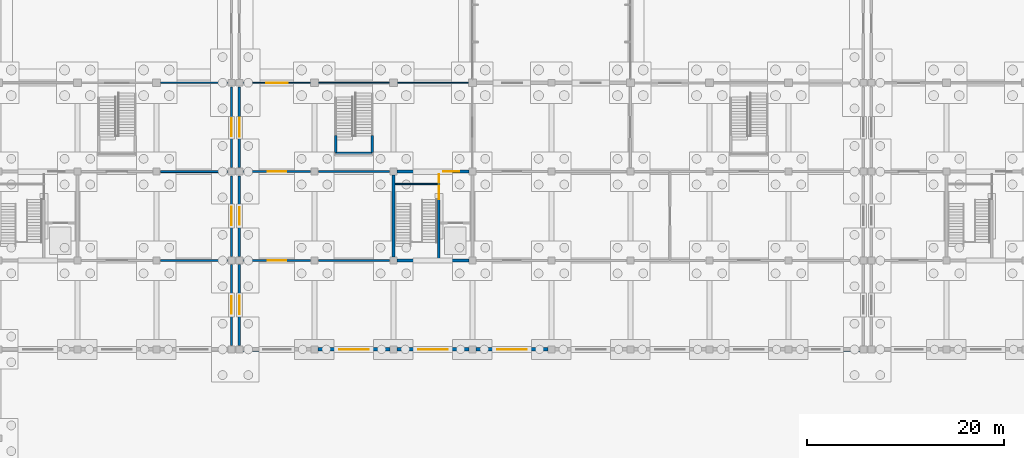
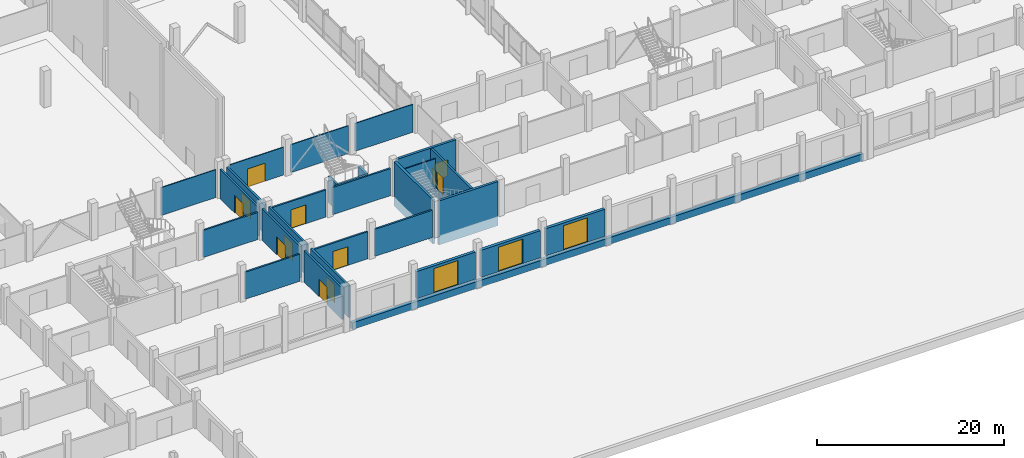
# One storey, part 44 of 72: 28 walls, 15 doors, 15 openings.
"""IFC4 building model written with IfcOpenShell, lengths in metres."""

from ifc_helpers import new_model, si_unit, direction, frame, frame_2d, origin, place, context, subcontext, project, spatial, rectangle, extrude, material, layer, layer_set, type_object, element, fill, save


model = new_model("IFC4")

# Units and contexts
model_context = context("Model", 3, precision=1e-05, world=origin(), true_north=direction((0.0, 1.0)))
body_context = subcontext(model_context, "Body", "Model", "MODEL_VIEW")
ifc_project = project(units=[si_unit("LENGTHUNIT", "METRE"), si_unit("AREAUNIT", "SQUARE_METRE"), si_unit("VOLUMEUNIT", "CUBIC_METRE"), si_unit("PLANEANGLEUNIT", "RADIAN"), si_unit("MASSUNIT", "GRAM", prefix="KILO"), si_unit("THERMODYNAMICTEMPERATUREUNIT", "KELVIN"), si_unit("POWERUNIT", "WATT")], contexts=[model_context])

# Site, building, storey
site_placement = place(None, origin())
site = spatial("IfcSite", under=ifc_project, at=site_placement, CompositionType="ELEMENT")
building_placement = place(site_placement, origin())
building = spatial("IfcBuilding", under=site, at=building_placement, Name="Kronsvod Quay Wholesale Market", CompositionType="ELEMENT")
storey_placement = place(building_placement, origin())
storey = spatial("IfcBuildingStorey", under=building, at=storey_placement, Name="L00", CompositionType="ELEMENT", Elevation=0.0)

# Walls
ifc_material_1 = material(Name="Polyisocyanurate insulated cold-room panel")
ifc_layer_1 = layer(ifc_material_1, 0.195068359375)
ifc_layer_set_1 = layer_set([ifc_layer_1], Name="Polyisocyanurate insulated cold-room panel")
wall_type_1 = type_object("IfcWallType", Name="Wall_ColdInsul195", PredefinedType="PARTITIONING", material=ifc_layer_set_1)
for number, where, z_axis, x_axis, name in (
    (1, (56.419921875, 36.0, 0.0), (0.0, 0.0, 1.0), (1.0, 0.0, 0.0), "PW-L00-0037"),
    (2, (56.419921875, 45.0, 0.0), (0.0, 0.0, 1.0), (1.0, 0.0, 0.0), "PW-L00-0059"),
):
    element("IfcWall", number, at=place(storey_placement, frame(where, z_axis=z_axis, x_axis=x_axis)), inside=storey, type_object=wall_type_1, Name=name, PredefinedType="PARTITIONING", context=body_context, shape_type="SweptSolid", body=[
        extrude(rectangle(XDim=6.760009765625, YDim=0.195068359375, at=frame_2d((3.3798828125, 0.0))), origin(), (0.0, 0.0, 1.0), 3.550048828125),
    ])

# Wall, opening, door
ifc_material_2 = material(Name="Polyisocyanurate insulated cold-room panel")
ifc_layer_2 = layer(ifc_material_2, 0.2099609375)
ifc_layer_set_2 = layer_set([ifc_layer_2], Name="Polyisocyanurate insulated cold-room panel")
wall_type_2 = type_object("IfcWallType", Name="Wall_ColdInsul210", PredefinedType="PARTITIONING", material=ifc_layer_set_2)
wall_1_placement = place(storey_placement, frame((64.820068359375, 36.0, 0.0), z_axis=(0.0, 0.0, 1.0), x_axis=(1.0, 0.0, 0.0)))
wall_1 = element("IfcWall", 3, at=wall_1_placement, inside=storey, type_object=wall_type_2, Name="PW-L00-0038", PredefinedType="PARTITIONING", context=body_context, shape_type="SweptSolid", body=[
    extrude(rectangle(XDim=6.760009765625, YDim=0.2099609375, at=frame_2d((3.3798828125, 0.0))), origin(), (0.0, 0.0, 1.0), 3.550048828125),
])
opening_1_placement = place(wall_1_placement, frame((2.455078125, 0.0, 0.0)))
opening_1 = element("IfcOpeningElement", 4, at=opening_1_placement, cuts=wall_1, Name="Opening D-0150", PredefinedType="OPENING", context=body_context, shape_type="SweptSolid", body=[
    extrude(rectangle(XDim=1.85009765625, YDim=2.449951171875, at=frame_2d((0.925048828125, 1.22509765625))), frame((0.0, 0.114990234375, 0.0), z_axis=(0.0, -1.0, 0.0), x_axis=(1.0, 0.0, 0.0)), (0.0, 0.0, 1.0), 0.22998046875),
])
ifc_material_3 = material(Name="Insulated stainless cold-store door", Category="steel")
door_type_1 = type_object("IfcDoorType", Name="Door_ColdSlide185x245", OperationType="SLIDING_TO_LEFT", PredefinedType="DOOR", material=ifc_material_3)
door_1_placement = place(opening_1_placement, origin())
door_1 = element("IfcDoor", 5, at=door_1_placement, inside=storey, type_object=door_type_1, Name="Interior Door D-0150", OperationType="SLIDING_TO_LEFT", OverallHeight=2.449951171875, OverallWidth=1.85009765625, PredefinedType="DOOR", context=body_context, shape_type="SweptSolid", body=[
    extrude(rectangle(XDim=1.85009765625, YDim=2.449951171875, at=frame_2d((0.925048828125, 1.22509765625))), frame((0.0, 0.02490234375, 0.0), z_axis=(0.0, -1.0, 0.0), x_axis=(1.0, 0.0, 0.0)), (0.0, 0.0, 1.0), 0.050048828125),
])
fill(opening_1, door_1)

# Wall
wall_2_placement = place(storey_placement, frame((72.419921875, 36.0, 0.0), z_axis=(0.0, 0.0, 1.0), x_axis=(1.0, 0.0, 0.0)))
element("IfcWall", 6, at=wall_2_placement, inside=storey, type_object=wall_type_2, Name="PW-L00-0039", PredefinedType="PARTITIONING", context=body_context, shape_type="SweptSolid", body=[
    extrude(rectangle(XDim=7.16015625, YDim=0.2099609375, at=frame_2d((3.580078125, 0.0))), origin(), (0.0, 0.0, 1.0), 3.550048828125),
])

# Wall, opening, door
wall_3_placement = place(storey_placement, frame((64.820068359375, 45.0, 0.0), z_axis=(0.0, 0.0, 1.0), x_axis=(1.0, 0.0, 0.0)))
wall_3 = element("IfcWall", 7, at=wall_3_placement, inside=storey, type_object=wall_type_2, Name="PW-L00-0060", PredefinedType="PARTITIONING", context=body_context, shape_type="SweptSolid", body=[
    extrude(rectangle(XDim=6.760009765625, YDim=0.2099609375, at=frame_2d((3.3798828125, 0.0))), origin(), (0.0, 0.0, 1.0), 3.550048828125),
])
opening_2_placement = place(wall_3_placement, frame((2.455078125, 0.0, 0.0)))
opening_2 = element("IfcOpeningElement", 8, at=opening_2_placement, cuts=wall_3, Name="Opening D-0162", PredefinedType="OPENING", context=body_context, shape_type="SweptSolid", body=[
    extrude(rectangle(XDim=1.85009765625, YDim=2.449951171875, at=frame_2d((0.925048828125, 1.22509765625))), frame((0.0, 0.114990234375, 0.0), z_axis=(0.0, -1.0, 0.0), x_axis=(1.0, 0.0, 0.0)), (0.0, 0.0, 1.0), 0.22998046875),
])
door_2_placement = place(opening_2_placement, origin())
door_2 = element("IfcDoor", 9, at=door_2_placement, inside=storey, type_object=door_type_1, Name="Interior Door D-0162", OperationType="SLIDING_TO_LEFT", OverallHeight=2.449951171875, OverallWidth=1.85009765625, PredefinedType="DOOR", context=body_context, shape_type="SweptSolid", body=[
    extrude(rectangle(XDim=1.85009765625, YDim=2.449951171875, at=frame_2d((0.925048828125, 1.22509765625))), frame((0.0, 0.02490234375, 0.0), z_axis=(0.0, -1.0, 0.0), x_axis=(1.0, 0.0, 0.0)), (0.0, 0.0, 1.0), 0.050048828125),
])
fill(opening_2, door_2)

# Walls
wall_4_placement = place(storey_placement, frame((72.419921875, 45.0, 0.0), z_axis=(0.0, 0.0, 1.0), x_axis=(1.0, 0.0, 0.0)))
element("IfcWall", 10, at=wall_4_placement, inside=storey, type_object=wall_type_2, Name="PW-L00-0061", PredefinedType="PARTITIONING", context=body_context, shape_type="SweptSolid", body=[
    extrude(rectangle(XDim=7.16015625, YDim=0.2099609375, at=frame_2d((3.580078125, 0.0))), origin(), (0.0, 0.0, 1.0), 3.550048828125),
])
ifc_material_4 = material(Name="Concrete C35/45", Category="concrete")
ifc_layer_3 = layer(ifc_material_4, 0.300048828125)
ifc_layer_set_3 = layer_set([ifc_layer_3], Name="Concrete C35/45")
wall_type_3 = type_object("IfcWallType", Name="Wall_CoreShear300", PredefinedType="SHEAR", material=ifc_layer_set_3)
wall_5_placement = place(storey_placement, frame((80.344970703125, 36.0, -1.25), z_axis=(0.0, 0.0, 1.0), x_axis=(1.0, 0.0, 0.0)))
element("IfcWall", 11, at=wall_5_placement, inside=storey, type_object=wall_type_3, Name="CW-C04-L00-S", PredefinedType="SHEAR", context=body_context, shape_type="SweptSolid", body=[
    extrude(rectangle(XDim=7.31005859375, YDim=0.300048828125, at=frame_2d((3.655029296875, 0.0))), origin(), (0.0, 0.0, 1.0), 5.7548828125),
])

# Wall, opening, door
wall_6_placement = place(storey_placement, frame((80.344970703125, 45.0, -1.25), z_axis=(0.0, 0.0, 1.0), x_axis=(1.0, 0.0, 0.0)))
wall_6 = element("IfcWall", 12, at=wall_6_placement, inside=storey, type_object=wall_type_3, Name="CW-C04-L00-N", PredefinedType="SHEAR", context=body_context, shape_type="SweptSolid", body=[
    extrude(rectangle(XDim=7.31005859375, YDim=0.300048828125, at=frame_2d((3.655029296875, 0.0))), origin(), (0.0, 0.0, 1.0), 5.7548828125),
])
opening_3_placement = place(wall_6_placement, frame((4.699951171875, 0.0, 1.25)))
opening_3 = element("IfcOpeningElement", 13, at=opening_3_placement, cuts=wall_6, Name="Opening D-0035", PredefinedType="OPENING", context=body_context, shape_type="SweptSolid", body=[
    extrude(rectangle(XDim=1.60009765625, YDim=2.199951171875, at=frame_2d((0.800048828125, 1.10009765625))), frame((0.0, 0.16015625, 0.0), z_axis=(0.0, -1.0, 0.0), x_axis=(1.0, 0.0, 0.0)), (0.0, 0.0, 1.0), 0.320068359375),
])
ifc_material_5 = material(Name="Painted galvanized fire steel", Category="steel")
door_type_2 = type_object("IfcDoorType", Name="Door_FireLobby160x220", OperationType="DOUBLE_DOOR_SINGLE_SWING", PredefinedType="DOOR", material=ifc_material_5)
door_3_placement = place(opening_3_placement, origin())
door_3 = element("IfcDoor", 14, at=door_3_placement, inside=storey, type_object=door_type_2, Name="Core Lobby Door D-0035", OperationType="DOUBLE_DOOR_SINGLE_SWING", OverallHeight=2.199951171875, OverallWidth=1.60009765625, PredefinedType="DOOR", context=body_context, shape_type="SweptSolid", body=[
    extrude(rectangle(XDim=1.60009765625, YDim=2.199951171875, at=frame_2d((0.800048828125, 1.10009765625))), frame((0.0, 0.02490234375, 0.0), z_axis=(0.0, -1.0, 0.0), x_axis=(1.0, 0.0, 0.0)), (0.0, 0.0, 1.0), 0.050048828125),
])
fill(opening_3, door_3)

# Wall
wall_7_placement = place(storey_placement, frame((80.0, 36.344970703125, -1.25), z_axis=(0.0, 0.0, 1.0), x_axis=(0.0, 1.0, 0.0)))
element("IfcWall", 15, at=wall_7_placement, inside=storey, type_object=wall_type_3, Name="CW-C04-L00-W", PredefinedType="SHEAR", context=body_context, shape_type="SweptSolid", body=[
    extrude(rectangle(XDim=8.31005859375, YDim=0.300048828125, at=frame_2d((4.155029296875, 0.0))), origin(), (0.0, 0.0, 1.0), 5.7548828125),
])

# Wall, opening, door
ifc_material_6 = material(Name="Precast concrete C40/50", Category="concrete")
ifc_layer_4 = layer(ifc_material_6, 0.360107421875)
ifc_layer_set_4 = layer_set([ifc_layer_4], Name="Precast concrete C40/50")
wall_type_4 = type_object("IfcWallType", Name="Wall_ExtColdSandwich360", PredefinedType="SOLIDWALL", material=ifc_layer_set_4)
wall_8_placement = place(storey_placement, frame((72.344970703125, 27.0, 0.0), z_axis=(0.0, 0.0, 1.0), x_axis=(1.0, 0.0, 0.0)))
wall_8 = element("IfcWall", 16, at=wall_8_placement, inside=storey, type_object=wall_type_4, Name="EW-X-L00-0034", PredefinedType="SOLIDWALL", context=body_context, shape_type="SweptSolid", body=[
    extrude(rectangle(XDim=7.31005859375, YDim=0.360107421875, at=frame_2d((3.655029296875, 0.0))), origin(), (0.0, 0.0, 1.0), 3.550048828125),
])
opening_4_placement = place(wall_8_placement, frame((2.155029296875, 0.0, 0.0)))
opening_4 = element("IfcOpeningElement", 17, at=opening_4_placement, cuts=wall_8, Name="Opening ED-019", PredefinedType="OPENING", context=body_context, shape_type="SweptSolid", body=[
    extrude(rectangle(XDim=3.0, YDim=3.199951171875, at=frame_2d((1.5, 1.60009765625))), frame((0.0, 0.18994140625, 0.0), z_axis=(0.0, -1.0, 0.0), x_axis=(1.0, 0.0, 0.0)), (0.0, 0.0, 1.0), 0.380126953125),
])
ifc_material_7 = material(Name="Insulated galvanized steel sectional shutter", Category="steel")
door_type_3 = type_object("IfcDoorType", Name="Door_DockShutter300x320", OperationType="ROLLINGUP", PredefinedType="GATE", material=ifc_material_7)
door_4_placement = place(opening_4_placement, origin())
door_4 = element("IfcDoor", 18, at=door_4_placement, inside=storey, type_object=door_type_3, Name="Loading Dock Door ED-019", OperationType="ROLLINGUP", OverallHeight=3.199951171875, OverallWidth=3.0, PredefinedType="GATE", context=body_context, shape_type="SweptSolid", body=[
    extrude(rectangle(XDim=3.0, YDim=3.199951171875, at=frame_2d((1.5, 1.60009765625))), frame((0.0, 0.02490234375, 0.0), z_axis=(0.0, -1.0, 0.0), x_axis=(1.0, 0.0, 0.0)), (0.0, 0.0, 1.0), 0.050048828125),
])
fill(opening_4, door_4)

wall_9_placement = place(storey_placement, frame((80.344970703125, 27.0, 0.0), z_axis=(0.0, 0.0, 1.0), x_axis=(1.0, 0.0, 0.0)))
wall_9 = element("IfcWall", 19, at=wall_9_placement, inside=storey, type_object=wall_type_4, Name="EW-X-L00-0035", PredefinedType="SOLIDWALL", context=body_context, shape_type="SweptSolid", body=[
    extrude(rectangle(XDim=7.31005859375, YDim=0.360107421875, at=frame_2d((3.655029296875, 0.0))), origin(), (0.0, 0.0, 1.0), 3.550048828125),
])
opening_5_placement = place(wall_9_placement, frame((2.155029296875, 0.0, 0.0)))
opening_5 = element("IfcOpeningElement", 20, at=opening_5_placement, cuts=wall_9, Name="Opening ED-020", PredefinedType="OPENING", context=body_context, shape_type="SweptSolid", body=[
    extrude(rectangle(XDim=3.0, YDim=3.199951171875, at=frame_2d((1.5, 1.60009765625))), frame((0.0, 0.18994140625, 0.0), z_axis=(0.0, -1.0, 0.0), x_axis=(1.0, 0.0, 0.0)), (0.0, 0.0, 1.0), 0.380126953125),
])
door_5_placement = place(opening_5_placement, origin())
door_5 = element("IfcDoor", 21, at=door_5_placement, inside=storey, type_object=door_type_3, Name="Loading Dock Door ED-020", OperationType="ROLLINGUP", OverallHeight=3.199951171875, OverallWidth=3.0, PredefinedType="GATE", context=body_context, shape_type="SweptSolid", body=[
    extrude(rectangle(XDim=3.0, YDim=3.199951171875, at=frame_2d((1.5, 1.60009765625))), frame((0.0, 0.02490234375, 0.0), z_axis=(0.0, -1.0, 0.0), x_axis=(1.0, 0.0, 0.0)), (0.0, 0.0, 1.0), 0.050048828125),
])
fill(opening_5, door_5)

wall_10_placement = place(storey_placement, frame((88.344970703125, 27.0, 0.0), z_axis=(0.0, 0.0, 1.0), x_axis=(1.0, 0.0, 0.0)))
wall_10 = element("IfcWall", 22, at=wall_10_placement, inside=storey, type_object=wall_type_4, Name="EW-X-L00-0036", PredefinedType="SOLIDWALL", context=body_context, shape_type="SweptSolid", body=[
    extrude(rectangle(XDim=7.31005859375, YDim=0.360107421875, at=frame_2d((3.655029296875, 0.0))), origin(), (0.0, 0.0, 1.0), 3.550048828125),
])
opening_6_placement = place(wall_10_placement, frame((2.155029296875, 0.0, 0.0)))
opening_6 = element("IfcOpeningElement", 23, at=opening_6_placement, cuts=wall_10, Name="Opening ED-021", PredefinedType="OPENING", context=body_context, shape_type="SweptSolid", body=[
    extrude(rectangle(XDim=3.0, YDim=3.199951171875, at=frame_2d((1.5, 1.60009765625))), frame((0.0, 0.18994140625, 0.0), z_axis=(0.0, -1.0, 0.0), x_axis=(1.0, 0.0, 0.0)), (0.0, 0.0, 1.0), 0.380126953125),
])
door_6_placement = place(opening_6_placement, origin())
door_6 = element("IfcDoor", 24, at=door_6_placement, inside=storey, type_object=door_type_3, Name="Loading Dock Door ED-021", OperationType="ROLLINGUP", OverallHeight=3.199951171875, OverallWidth=3.0, PredefinedType="GATE", context=body_context, shape_type="SweptSolid", body=[
    extrude(rectangle(XDim=3.0, YDim=3.199951171875, at=frame_2d((1.5, 1.60009765625))), frame((0.0, 0.02490234375, 0.0), z_axis=(0.0, -1.0, 0.0), x_axis=(1.0, 0.0, 0.0)), (0.0, 0.0, 1.0), 0.050048828125),
])
fill(opening_6, door_6)

ifc_material_8 = material(Name="Precast concrete C40/50", Category="concrete")
ifc_layer_5 = layer(ifc_material_8, 0.239990234375)
ifc_layer_set_5 = layer_set([ifc_layer_5], Name="Precast concrete C40/50")
wall_type_5 = type_object("IfcWallType", Name="Wall_ExtSpandrel240", PredefinedType="SOLIDWALL", material=ifc_layer_set_5)
wall_11_placement = place(storey_placement, frame((63.60009765625, 27.419921875, 0.0), z_axis=(0.0, 0.0, 1.0), x_axis=(0.0, 1.0, 0.0)))
wall_11 = element("IfcWall", 25, at=wall_11_placement, inside=storey, type_object=wall_type_5, Name="MJWG-L00-636-270", PredefinedType="SOLIDWALL", context=body_context, shape_type="SweptSolid", body=[
    extrude(rectangle(XDim=8.16015625, YDim=0.239990234375, at=frame_2d((4.080078125, 0.0))), origin(), (0.0, 0.0, 1.0), 4.10009765625),
])
opening_7_placement = place(wall_11_placement, frame((3.179931640625, 0.0, 0.0)))
opening_7 = element("IfcOpeningElement", 26, at=opening_7_placement, cuts=wall_11, Name="Opening D-0314", PredefinedType="OPENING", context=body_context, shape_type="SweptSolid", body=[
    extrude(rectangle(XDim=1.800048828125, YDim=2.300048828125, at=frame_2d((0.89990234375, 1.14990234375))), frame((0.0, 0.1298828125, 0.0), z_axis=(0.0, -1.0, 0.0), x_axis=(1.0, 0.0, 0.0)), (0.0, 0.0, 1.0), 0.260009765625),
])
ifc_material_9 = material(Name="Painted galvanized fire steel", Category="steel")
door_type_4 = type_object("IfcDoorType", Name="Door_FireComp180x230", OperationType="DOUBLE_DOOR_SINGLE_SWING", PredefinedType="DOOR", material=ifc_material_9)
door_7_placement = place(opening_7_placement, origin())
door_7 = element("IfcDoor", 27, at=door_7_placement, inside=storey, type_object=door_type_4, Name="Fire Compartment Door D-0314", OperationType="DOUBLE_DOOR_SINGLE_SWING", OverallHeight=2.300048828125, OverallWidth=1.800048828125, PredefinedType="DOOR", context=body_context, shape_type="SweptSolid", body=[
    extrude(rectangle(XDim=1.800048828125, YDim=2.300048828125, at=frame_2d((0.89990234375, 1.14990234375))), frame((0.0, 0.02490234375, 0.0), z_axis=(0.0, -1.0, 0.0), x_axis=(1.0, 0.0, 0.0)), (0.0, 0.0, 1.0), 0.050048828125),
])
fill(opening_7, door_7)

wall_12_placement = place(storey_placement, frame((63.60009765625, 36.419921875, 0.0), z_axis=(0.0, 0.0, 1.0), x_axis=(0.0, 1.0, 0.0)))
wall_12 = element("IfcWall", 28, at=wall_12_placement, inside=storey, type_object=wall_type_5, Name="MJWG-L00-636-360", PredefinedType="SOLIDWALL", context=body_context, shape_type="SweptSolid", body=[
    extrude(rectangle(XDim=8.16015625, YDim=0.239990234375, at=frame_2d((4.080078125, 0.0))), origin(), (0.0, 0.0, 1.0), 4.10009765625),
])
opening_8_placement = place(wall_12_placement, frame((3.1298828125, 0.0, 0.0)))
opening_8 = element("IfcOpeningElement", 29, at=opening_8_placement, cuts=wall_12, Name="Opening D-0315", PredefinedType="OPENING", context=body_context, shape_type="SweptSolid", body=[
    extrude(rectangle(XDim=1.89990234375, YDim=2.35009765625, at=frame_2d((0.949951171875, 1.175048828125))), frame((0.0, 0.1298828125, 0.0), z_axis=(0.0, -1.0, 0.0), x_axis=(1.0, 0.0, 0.0)), (0.0, 0.0, 1.0), 0.260009765625),
])
ifc_material_10 = material(Name="Painted galvanized fire steel", Category="steel")
door_type_5 = type_object("IfcDoorType", Name="Door_FireComp190x235", OperationType="DOUBLE_DOOR_SINGLE_SWING", PredefinedType="DOOR", material=ifc_material_10)
door_8_placement = place(opening_8_placement, origin())
door_8 = element("IfcDoor", 30, at=door_8_placement, inside=storey, type_object=door_type_5, Name="Fire Compartment Door D-0315", OperationType="DOUBLE_DOOR_SINGLE_SWING", OverallHeight=2.35009765625, OverallWidth=1.89990234375, PredefinedType="DOOR", context=body_context, shape_type="SweptSolid", body=[
    extrude(rectangle(XDim=1.89990234375, YDim=2.35009765625, at=frame_2d((0.949951171875, 1.175048828125))), frame((0.0, 0.02490234375, 0.0), z_axis=(0.0, -1.0, 0.0), x_axis=(1.0, 0.0, 0.0)), (0.0, 0.0, 1.0), 0.050048828125),
])
fill(opening_8, door_8)

wall_13_placement = place(storey_placement, frame((63.60009765625, 45.419921875, 0.0), z_axis=(0.0, 0.0, 1.0), x_axis=(0.0, 1.0, 0.0)))
wall_13 = element("IfcWall", 31, at=wall_13_placement, inside=storey, type_object=wall_type_5, Name="MJWG-L00-636-450", PredefinedType="SOLIDWALL", context=body_context, shape_type="SweptSolid", body=[
    extrude(rectangle(XDim=8.16015625, YDim=0.239990234375, at=frame_2d((4.080078125, 0.0))), origin(), (0.0, 0.0, 1.0), 3.820068359375),
])
opening_9_placement = place(wall_13_placement, frame((3.179931640625, 0.0, 0.0)))
opening_9 = element("IfcOpeningElement", 32, at=opening_9_placement, cuts=wall_13, Name="Opening D-0316", PredefinedType="OPENING", context=body_context, shape_type="SweptSolid", body=[
    extrude(rectangle(XDim=1.800048828125, YDim=2.300048828125, at=frame_2d((0.89990234375, 1.14990234375))), frame((0.0, 0.1298828125, 0.0), z_axis=(0.0, -1.0, 0.0), x_axis=(1.0, 0.0, 0.0)), (0.0, 0.0, 1.0), 0.260009765625),
])
door_9_placement = place(opening_9_placement, origin())
door_9 = element("IfcDoor", 33, at=door_9_placement, inside=storey, type_object=door_type_4, Name="Fire Compartment Door D-0316", OperationType="DOUBLE_DOOR_SINGLE_SWING", OverallHeight=2.300048828125, OverallWidth=1.800048828125, PredefinedType="DOOR", context=body_context, shape_type="SweptSolid", body=[
    extrude(rectangle(XDim=1.800048828125, YDim=2.300048828125, at=frame_2d((0.89990234375, 1.14990234375))), frame((0.0, 0.02490234375, 0.0), z_axis=(0.0, -1.0, 0.0), x_axis=(1.0, 0.0, 0.0)), (0.0, 0.0, 1.0), 0.050048828125),
])
fill(opening_9, door_9)

wall_14_placement = place(storey_placement, frame((64.39990234375, 27.419921875, 0.0), z_axis=(0.0, 0.0, 1.0), x_axis=(0.0, 1.0, 0.0)))
wall_14 = element("IfcWall", 34, at=wall_14_placement, inside=storey, type_object=wall_type_5, Name="MJWG-L00-644-270", PredefinedType="SOLIDWALL", context=body_context, shape_type="SweptSolid", body=[
    extrude(rectangle(XDim=8.16015625, YDim=0.239990234375, at=frame_2d((4.080078125, 0.0))), origin(), (0.0, 0.0, 1.0), 4.10009765625),
])
opening_10_placement = place(wall_14_placement, frame((3.1298828125, 0.0, 0.0)))
opening_10 = element("IfcOpeningElement", 35, at=opening_10_placement, cuts=wall_14, Name="Opening D-0323", PredefinedType="OPENING", context=body_context, shape_type="SweptSolid", body=[
    extrude(rectangle(XDim=1.89990234375, YDim=2.35009765625, at=frame_2d((0.949951171875, 1.175048828125))), frame((0.0, 0.1298828125, 0.0), z_axis=(0.0, -1.0, 0.0), x_axis=(1.0, 0.0, 0.0)), (0.0, 0.0, 1.0), 0.260009765625),
])
door_10_placement = place(opening_10_placement, origin())
door_10 = element("IfcDoor", 36, at=door_10_placement, inside=storey, type_object=door_type_5, Name="Fire Compartment Door D-0323", OperationType="DOUBLE_DOOR_SINGLE_SWING", OverallHeight=2.35009765625, OverallWidth=1.89990234375, PredefinedType="DOOR", context=body_context, shape_type="SweptSolid", body=[
    extrude(rectangle(XDim=1.89990234375, YDim=2.35009765625, at=frame_2d((0.949951171875, 1.175048828125))), frame((0.0, 0.02490234375, 0.0), z_axis=(0.0, -1.0, 0.0), x_axis=(1.0, 0.0, 0.0)), (0.0, 0.0, 1.0), 0.050048828125),
])
fill(opening_10, door_10)

wall_15_placement = place(storey_placement, frame((64.39990234375, 36.419921875, 0.0), z_axis=(0.0, 0.0, 1.0), x_axis=(0.0, 1.0, 0.0)))
wall_15 = element("IfcWall", 37, at=wall_15_placement, inside=storey, type_object=wall_type_5, Name="MJWG-L00-644-360", PredefinedType="SOLIDWALL", context=body_context, shape_type="SweptSolid", body=[
    extrude(rectangle(XDim=8.16015625, YDim=0.239990234375, at=frame_2d((4.080078125, 0.0))), origin(), (0.0, 0.0, 1.0), 4.10009765625),
])
opening_11_placement = place(wall_15_placement, frame((3.179931640625, 0.0, 0.0)))
opening_11 = element("IfcOpeningElement", 38, at=opening_11_placement, cuts=wall_15, Name="Opening D-0324", PredefinedType="OPENING", context=body_context, shape_type="SweptSolid", body=[
    extrude(rectangle(XDim=1.800048828125, YDim=2.300048828125, at=frame_2d((0.89990234375, 1.14990234375))), frame((0.0, 0.1298828125, 0.0), z_axis=(0.0, -1.0, 0.0), x_axis=(1.0, 0.0, 0.0)), (0.0, 0.0, 1.0), 0.260009765625),
])
door_11_placement = place(opening_11_placement, origin())
door_11 = element("IfcDoor", 39, at=door_11_placement, inside=storey, type_object=door_type_4, Name="Fire Compartment Door D-0324", OperationType="DOUBLE_DOOR_SINGLE_SWING", OverallHeight=2.300048828125, OverallWidth=1.800048828125, PredefinedType="DOOR", context=body_context, shape_type="SweptSolid", body=[
    extrude(rectangle(XDim=1.800048828125, YDim=2.300048828125, at=frame_2d((0.89990234375, 1.14990234375))), frame((0.0, 0.02490234375, 0.0), z_axis=(0.0, -1.0, 0.0), x_axis=(1.0, 0.0, 0.0)), (0.0, 0.0, 1.0), 0.050048828125),
])
fill(opening_11, door_11)

wall_16_placement = place(storey_placement, frame((64.39990234375, 45.419921875, 0.0), z_axis=(0.0, 0.0, 1.0), x_axis=(0.0, 1.0, 0.0)))
wall_16 = element("IfcWall", 40, at=wall_16_placement, inside=storey, type_object=wall_type_5, Name="MJWG-L00-644-450", PredefinedType="SOLIDWALL", context=body_context, shape_type="SweptSolid", body=[
    extrude(rectangle(XDim=8.16015625, YDim=0.239990234375, at=frame_2d((4.080078125, 0.0))), origin(), (0.0, 0.0, 1.0), 3.820068359375),
])
opening_12_placement = place(wall_16_placement, frame((3.1298828125, 0.0, 0.0)))
opening_12 = element("IfcOpeningElement", 41, at=opening_12_placement, cuts=wall_16, Name="Opening D-0325", PredefinedType="OPENING", context=body_context, shape_type="SweptSolid", body=[
    extrude(rectangle(XDim=1.89990234375, YDim=2.35009765625, at=frame_2d((0.949951171875, 1.175048828125))), frame((0.0, 0.1298828125, 0.0), z_axis=(0.0, -1.0, 0.0), x_axis=(1.0, 0.0, 0.0)), (0.0, 0.0, 1.0), 0.260009765625),
])
door_12_placement = place(opening_12_placement, origin())
door_12 = element("IfcDoor", 42, at=door_12_placement, inside=storey, type_object=door_type_5, Name="Fire Compartment Door D-0325", OperationType="DOUBLE_DOOR_SINGLE_SWING", OverallHeight=2.35009765625, OverallWidth=1.89990234375, PredefinedType="DOOR", context=body_context, shape_type="SweptSolid", body=[
    extrude(rectangle(XDim=1.89990234375, YDim=2.35009765625, at=frame_2d((0.949951171875, 1.175048828125))), frame((0.0, 0.02490234375, 0.0), z_axis=(0.0, -1.0, 0.0), x_axis=(1.0, 0.0, 0.0)), (0.0, 0.0, 1.0), 0.050048828125),
])
fill(opening_12, door_12)

ifc_material_11 = material(Name="Double-glazed gallery screen partition", Category="glass")
ifc_layer_6 = layer(ifc_material_11, 0.10791015625)
ifc_layer_set_6 = layer_set([ifc_layer_6], Name="Double-glazed gallery screen partition")
wall_type_6 = type_object("IfcWallType", Name="Wall_PartGlazed108", PredefinedType="PARTITIONING", material=ifc_layer_set_6)
wall_17_placement = place(storey_placement, frame((64.820068359375, 54.0, 0.0), z_axis=(0.0, 0.0, 1.0), x_axis=(1.0, 0.0, 0.0)))
wall_17 = element("IfcWall", 43, at=wall_17_placement, inside=storey, type_object=wall_type_6, Name="PW-L00-0081", PredefinedType="PARTITIONING", context=body_context, shape_type="SweptSolid", body=[
    extrude(rectangle(XDim=6.760009765625, YDim=0.10791015625, at=frame_2d((3.3798828125, 0.0))), origin(), (0.0, 0.0, 1.0), 3.64990234375),
])
opening_13_placement = place(wall_17_placement, frame((2.304931640625, 0.0, 0.0)))
opening_13 = element("IfcOpeningElement", 44, at=opening_13_placement, cuts=wall_17, Name="Opening D-0172", PredefinedType="OPENING", context=body_context, shape_type="SweptSolid", body=[
    extrude(rectangle(XDim=2.14990234375, YDim=2.35009765625, at=frame_2d((1.074951171875, 1.175048828125))), frame((0.0, 0.06396484375, 0.0), z_axis=(0.0, -1.0, 0.0), x_axis=(1.0, 0.0, 0.0)), (0.0, 0.0, 1.0), 0.1279296875),
])
ifc_material_12 = material(Name="Glazed aluminium hall portal", Category="aluminium")
door_type_6 = type_object("IfcDoorType", Name="Door_HallPortal215x235", OperationType="DOUBLE_DOOR_SINGLE_SWING", PredefinedType="DOOR", material=ifc_material_12)
door_13_placement = place(opening_13_placement, origin())
door_13 = element("IfcDoor", 45, at=door_13_placement, inside=storey, type_object=door_type_6, Name="Interior Door D-0172", OperationType="DOUBLE_DOOR_SINGLE_SWING", OverallHeight=2.35009765625, OverallWidth=2.14990234375, PredefinedType="DOOR", context=body_context, shape_type="SweptSolid", body=[
    extrude(rectangle(XDim=2.14990234375, YDim=2.35009765625, at=frame_2d((1.074951171875, 1.175048828125))), frame((0.0, 0.02490234375, 0.0), z_axis=(0.0, -1.0, 0.0), x_axis=(1.0, 0.0, 0.0)), (0.0, 0.0, 1.0), 0.050048828125),
])
fill(opening_13, door_13)

# Walls
for number, where, z_axis, x_axis, name in (
    (46, (72.419921875, 54.0, 0.0), (0.0, 0.0, 1.0), (1.0, 0.0, 0.0), "PW-L00-0082"),
    (47, (80.419921875, 54.0, 0.0), (0.0, 0.0, 1.0), (1.0, 0.0, 0.0), "PW-L00-0083"),
):
    element("IfcWall", number, at=place(storey_placement, frame(where, z_axis=z_axis, x_axis=x_axis)), inside=storey, type_object=wall_type_6, Name=name, PredefinedType="PARTITIONING", context=body_context, shape_type="SweptSolid", body=[
        extrude(rectangle(XDim=7.16015625, YDim=0.10791015625, at=frame_2d((3.580078125, 0.0))), origin(), (0.0, 0.0, 1.0), 3.64990234375),
    ])
ifc_material_13 = material(Name="Framed acoustic glass hall partition", Category="glass")
ifc_layer_7 = layer(ifc_material_13, 0.114990234375)
ifc_layer_set_7 = layer_set([ifc_layer_7], Name="Framed acoustic glass hall partition")
wall_type_7 = type_object("IfcWallType", Name="Wall_PartGlazed115", PredefinedType="PARTITIONING", material=ifc_layer_set_7)
wall_18_placement = place(storey_placement, frame((56.419921875, 54.0, 0.0), z_axis=(0.0, 0.0, 1.0), x_axis=(1.0, 0.0, 0.0)))
element("IfcWall", 48, at=wall_18_placement, inside=storey, type_object=wall_type_7, Name="PW-L00-0080", PredefinedType="PARTITIONING", context=body_context, shape_type="SweptSolid", body=[
    extrude(rectangle(XDim=6.760009765625, YDim=0.114990234375, at=frame_2d((3.3798828125, 0.0))), origin(), (0.0, 0.0, 1.0), 3.64990234375),
])
ifc_material_14 = material(Name="Fire-rated shaft riser block wall", Category="masonry")
ifc_layer_8 = layer(ifc_material_14, 0.1298828125)
ifc_layer_set_8 = layer_set([ifc_layer_8], Name="Fire-rated shaft riser block wall")
wall_type_8 = type_object("IfcWallType", Name="Wall_PartRiser130", PredefinedType="PARTITIONING", material=ifc_layer_set_8)
wall_19_placement = place(storey_placement, frame((80.179931640625, 43.75, 0.0), z_axis=(0.0, 0.0, 1.0), x_axis=(1.0, 0.0, 0.0)))
element("IfcWall", 49, at=wall_19_placement, inside=storey, type_object=wall_type_8, Name="CW-C04-L00-RSR", PredefinedType="PARTITIONING", context=body_context, shape_type="SweptSolid", body=[
    extrude(rectangle(XDim=4.280029296875, YDim=0.1298828125, at=frame_2d((2.14013671875, 0.0))), origin(), (0.0, 0.0, 1.0), 3.85498046875),
])
wall_20_placement = place(storey_placement, frame((74.14990234375, 46.85009765625, -1.25), z_axis=(0.0, 0.0, 1.0), x_axis=(1.0, 0.0, 0.0)))
element("IfcWall", 50, at=wall_20_placement, inside=storey, type_object=wall_type_8, Name="ST-GAL-W2-SWS", PredefinedType="PARTITIONING", context=body_context, shape_type="SweptSolid", body=[
    extrude(rectangle(XDim=3.7001953125, YDim=0.239990234375, at=frame_2d((1.85009765625, 0.0))), origin(), (0.0, 0.0, 1.0), 3.469970703125),
])
for number, where, z_axis, x_axis, name in (
    (51, (74.14990234375, 46.949951171875, -1.25), (0.0, 0.0, 1.0), (0.0, 1.0, 0.0), "ST-GAL-W2-SWW"),
    (52, (77.85009765625, 46.949951171875, -1.25), (0.0, 0.0, 1.0), (0.0, 1.0, 0.0), "ST-GAL-W2-SWE"),
):
    element("IfcWall", number, at=place(storey_placement, frame(where, z_axis=z_axis, x_axis=x_axis)), inside=storey, type_object=wall_type_8, Name=name, PredefinedType="PARTITIONING", context=body_context, shape_type="SweptSolid", body=[
        extrude(rectangle(XDim=1.699951171875, YDim=0.239990234375, at=frame_2d((0.85009765625, 0.0))), origin(), (0.0, 0.0, 1.0), 3.469970703125),
    ])
ifc_material_15 = material(Name="Precast concrete C40/50", Category="concrete")
ifc_layer_9 = layer(ifc_material_15, 0.39990234375)
ifc_layer_set_9 = layer_set([ifc_layer_9], Name="Precast concrete C40/50")
wall_type_9 = type_object("IfcWallType", Name="Wall_PlinthSkirt400", PredefinedType="STANDARD", material=ifc_layer_set_9)
wall_21_placement = place(storey_placement, frame((64.39990234375, 27.0, -1.25), z_axis=(0.0, 0.0, 1.0), x_axis=(1.0, 0.0, 0.0)))
element("IfcWall", 53, at=wall_21_placement, inside=storey, type_object=wall_type_9, Name="RW-YC2", PredefinedType="STANDARD", context=body_context, shape_type="SweptSolid", body=[
    extrude(rectangle(XDim=63.2001953125, YDim=0.39990234375, at=frame_2d((31.60009765625, 0.0))), origin(), (0.0, 0.0, 1.0), 0.89990234375),
])

# Wall, openings, doors
ifc_material_16 = material(Name="Concrete C35/45", Category="concrete")
ifc_layer_10 = layer(ifc_material_16, 0.239990234375)
ifc_layer_set_10 = layer_set([ifc_layer_10], Name="Concrete C35/45")
wall_type_10 = type_object("IfcWallType", Name="Wall_ShaftWall240", PredefinedType="SHEAR", material=ifc_layer_set_10)
wall_22_placement = place(storey_placement, frame((84.60009765625, 36.179931640625, -1.25), z_axis=(0.0, 0.0, 1.0), x_axis=(0.0, 1.0, 0.0)))
wall_22 = element("IfcWall", 54, at=wall_22_placement, inside=storey, type_object=wall_type_10, Name="CW-C04-L00-DIV", PredefinedType="SHEAR", context=body_context, shape_type="SweptSolid", body=[
    extrude(rectangle(XDim=8.64013671875, YDim=0.239990234375, at=frame_2d((4.320068359375, 0.0))), origin(), (0.0, 0.0, 1.0), 5.7548828125),
])
opening_14_placement = place(wall_22_placement, frame((6.02001953125, 0.0, 1.25)))
opening_14 = element("IfcOpeningElement", 55, at=opening_14_placement, cuts=wall_22, Name="Opening D-0033", PredefinedType="OPENING", context=body_context, shape_type="SweptSolid", body=[
    extrude(rectangle(XDim=1.35009765625, YDim=2.199951171875, at=frame_2d((0.675048828125, 1.10009765625))), frame((0.0, 0.1298828125, 0.0), z_axis=(0.0, -1.0, 0.0), x_axis=(1.0, 0.0, 0.0)), (0.0, 0.0, 1.0), 0.260009765625),
])
opening_15_placement = place(wall_22_placement, frame((7.679931640625, 0.0, 1.25)))
opening_15 = element("IfcOpeningElement", 56, at=opening_15_placement, cuts=wall_22, Name="Opening D-0034", PredefinedType="OPENING", context=body_context, shape_type="SweptSolid", body=[
    extrude(rectangle(XDim=0.8798828125, YDim=2.02001953125, at=frame_2d((0.43994140625, 1.010009765625))), frame((0.0, 0.1298828125, 0.0), z_axis=(0.0, -1.0, 0.0), x_axis=(1.0, 0.0, 0.0)), (0.0, 0.0, 1.0), 0.260009765625),
])
ifc_material_17 = material(Name="Painted galvanized fire steel", Category="steel")
door_type_7 = type_object("IfcDoorType", Name="Door_FireStair135x220", OperationType="NOTDEFINED", PredefinedType="DOOR", material=ifc_material_17)
door_14_placement = place(opening_14_placement, origin())
door_14 = element("IfcDoor", 57, at=door_14_placement, inside=storey, type_object=door_type_7, Name="Stair Fire Door D-0033", OperationType="SINGLE_SWING_LEFT", OverallHeight=2.199951171875, OverallWidth=1.35009765625, PredefinedType="DOOR", context=body_context, shape_type="SweptSolid", body=[
    extrude(rectangle(XDim=1.35009765625, YDim=2.199951171875, at=frame_2d((0.675048828125, 1.10009765625))), frame((0.0, 0.02490234375, 0.0), z_axis=(0.0, -1.0, 0.0), x_axis=(1.0, 0.0, 0.0)), (0.0, 0.0, 1.0), 0.050048828125),
])
fill(opening_14, door_14)
ifc_material_18 = material(Name="Fire-rated steel riser access door", Category="steel")
door_type_8 = type_object("IfcDoorType", Name="Door_Riser88x202", OperationType="NOTDEFINED", PredefinedType="DOOR", material=ifc_material_18)
door_15_placement = place(opening_15_placement, origin())
door_15 = element("IfcDoor", 58, at=door_15_placement, inside=storey, type_object=door_type_8, Name="Service Riser Door D-0034", OperationType="SINGLE_SWING_RIGHT", OverallHeight=2.02001953125, OverallWidth=0.8798828125, PredefinedType="DOOR", context=body_context, shape_type="SweptSolid", body=[
    extrude(rectangle(XDim=0.8798828125, YDim=2.02001953125, at=frame_2d((0.43994140625, 1.010009765625))), frame((0.0, 0.02490234375, 0.0), z_axis=(0.0, -1.0, 0.0), x_axis=(1.0, 0.0, 0.0)), (0.0, 0.0, 1.0), 0.050048828125),
])
fill(opening_15, door_15)

save(model, "model.ifc")
